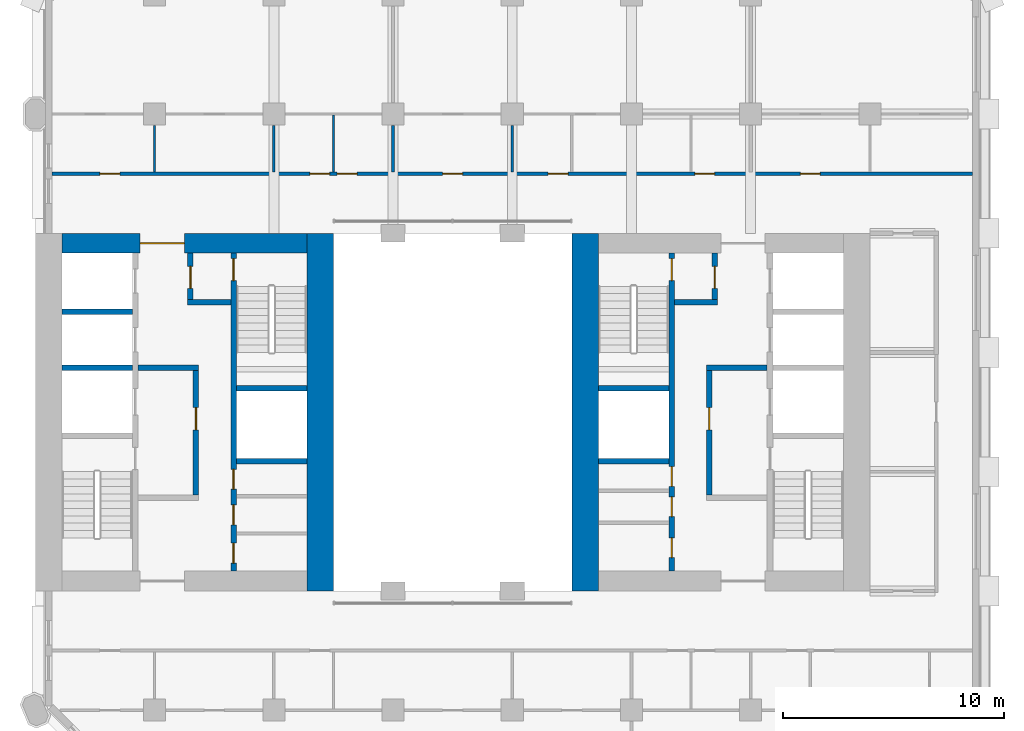
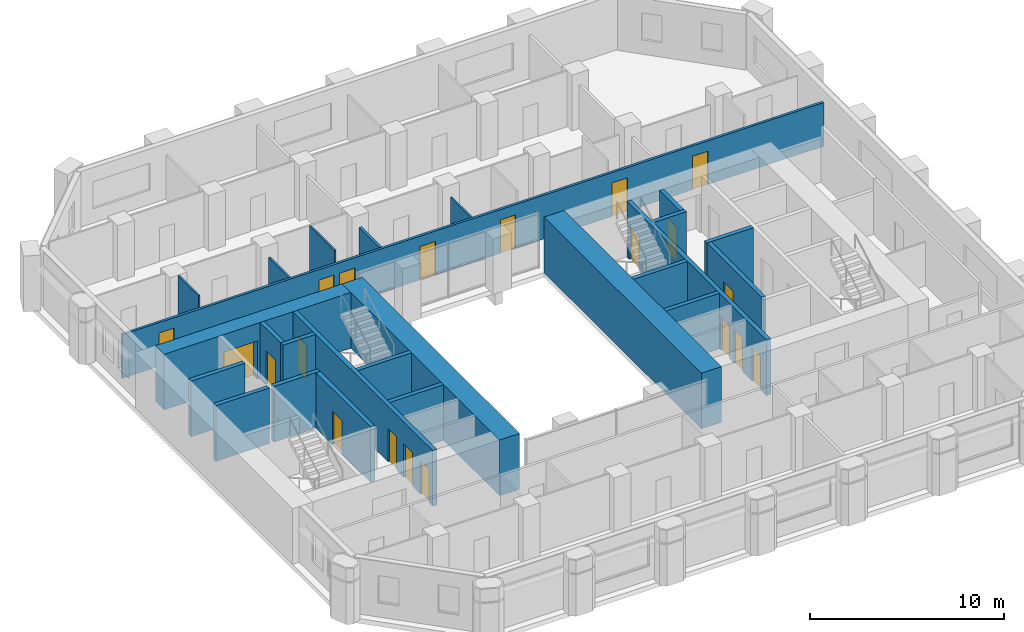
# One storey, part 5 of 11: 25 walls, 20 doors, 20 openings.
"""IFC4 building model written with IfcOpenShell, lengths in metres."""

from ifc_helpers import new_model, si_unit, direction, frame, frame_2d, origin, place, context, subcontext, project, spatial, rectangle, extrude, material, layer, layer_set, type_object, element, fill, save


model = new_model("IFC4")

# Units and contexts
model_context = context("Model", 3, precision=1e-05, world=origin(), true_north=direction((0.0, 1.0)))
body_context = subcontext(model_context, "Body", "Model", "MODEL_VIEW")
ifc_project = project(units=[si_unit("LENGTHUNIT", "METRE"), si_unit("AREAUNIT", "SQUARE_METRE"), si_unit("VOLUMEUNIT", "CUBIC_METRE"), si_unit("PLANEANGLEUNIT", "RADIAN"), si_unit("MASSUNIT", "GRAM", prefix="KILO")], contexts=[model_context])

# Site, building, storey
site_placement = place(None, origin())
site = spatial("IfcSite", under=ifc_project, at=site_placement, CompositionType="ELEMENT")
building_placement = place(site_placement, origin())
building = spatial("IfcBuilding", under=site, at=building_placement, Name="Tabaq Tower and Sports Hall", CompositionType="ELEMENT")
storey_placement = place(building_placement, frame((0.0, 0.0, 84.0)))
storey = spatial("IfcBuildingStorey", under=building, at=storey_placement, Name="L19", CompositionType="ELEMENT", Elevation=84.0)

# Walls
ifc_material_1 = material(Name="Concrete C60/75", Category="concrete")
ifc_layer_1 = layer(ifc_material_1, 1.199951171875)
ifc_layer_set_1 = layer_set([ifc_layer_1], Name="Core wall 1200 Concrete C60/75")
wall_type_1 = type_object("IfcWallType", Name="Core wall 1200 Concrete C60/75", PredefinedType="SOLIDWALL", material=ifc_layer_set_1)
for number, where, z_axis, x_axis, name in (
    (1, (18.300048828125, 32.39990234375, 0.0), (0.0, 0.0, 1.0), (0.0, -1.0, 0.0), "Core wall W L19"),
    (2, (30.300048828125, 16.199951171875, 0.0), (0.0, 0.0, 1.0), (0.0, 1.0, 0.0), "Core wall E L19"),
):
    element("IfcWall", number, at=place(storey_placement, frame(where, z_axis=z_axis, x_axis=x_axis)), inside=storey, type_object=wall_type_1, Name=name, PredefinedType="SOLIDWALL", context=body_context, shape_type="SweptSolid", body=[
        extrude(rectangle(XDim=16.199951171875, YDim=1.199951171875, at=frame_2d((8.10009765625, 0.0))), origin(), (0.0, 0.0, 1.0), 3.5),
    ])

# Wall, opening, door
ifc_material_2 = material(Name="Concrete C60/75", Category="concrete")
ifc_layer_2 = layer(ifc_material_2, 0.89990234375)
ifc_layer_set_2 = layer_set([ifc_layer_2], Name="Core wall 900 Concrete C60/75")
wall_type_2 = type_object("IfcWallType", Name="Core wall 900 Concrete C60/75", PredefinedType="SOLIDWALL", material=ifc_layer_set_2)
wall_1_placement = place(storey_placement, frame((6.60009765625, 31.949951171875, 0.0), z_axis=(0.0, 0.0, 1.0), x_axis=(1.0, 0.0, 0.0)))
wall_1 = element("IfcWall", 3, at=wall_1_placement, inside=storey, type_object=wall_type_2, Name="Core wall W L19", PredefinedType="SOLIDWALL", context=body_context, shape_type="SweptSolid", body=[
    extrude(rectangle(XDim=11.099853515625, YDim=0.89990234375, at=frame_2d((5.5498046875, 0.0))), origin(), (0.0, 0.0, 1.0), 3.5),
])
opening_1_placement = place(wall_1_placement, frame((3.550048828125, 0.0, 0.0)))
opening_1 = element("IfcOpeningElement", 4, at=opening_1_placement, cuts=wall_1, Name="Opening PD-WL19-02", PredefinedType="OPENING", context=body_context, shape_type="SweptSolid", body=[
    extrude(rectangle(XDim=2.0, YDim=2.39990234375, at=frame_2d((1.0, 1.199951171875))), frame((0.0, 0.449951171875, 0.0), z_axis=(0.0, -1.0, 0.0), x_axis=(1.0, 0.0, 0.0)), (0.0, 0.0, 1.0), 0.89990234375),
])
ifc_material_3 = material(Name="Steel fire door", Category="steel")
door_type_1 = type_object("IfcDoorType", Name="Core entrance door 2000", OperationType="DOUBLE_DOOR_SINGLE_SWING", PredefinedType="DOOR", material=ifc_material_3)
door_1_placement = place(opening_1_placement, origin())
door_1 = element("IfcDoor", 5, at=door_1_placement, inside=storey, type_object=door_type_1, Name="Core entrance north W L19", OperationType="DOUBLE_DOOR_SINGLE_SWING", OverallHeight=2.39990234375, OverallWidth=2.0, PredefinedType="DOOR", context=body_context, shape_type="SweptSolid", body=[
    extrude(rectangle(XDim=2.0, YDim=2.39990234375, at=frame_2d((1.0, 1.199951171875))), frame((0.0, 0.02490234375, 0.0), z_axis=(0.0, -1.0, 0.0), x_axis=(1.0, 0.0, 0.0)), (0.0, 0.0, 1.0), 0.050048828125),
])
fill(opening_1, door_1)

# Walls
ifc_material_4 = material(Name="Gypsum board on steel studs", Category="steel")
ifc_layer_3 = layer(ifc_material_4, 0.10009765625)
ifc_layer_set_3 = layer_set([ifc_layer_3], Name="Partition 100 Gypsum board")
wall_type_3 = type_object("IfcWallType", Name="Partition 100 Gypsum board", PredefinedType="PARTITIONING", material=ifc_layer_set_3)
wall_2_placement = place(storey_placement, frame((10.800048828125, 35.175048828125, 0.0), z_axis=(0.0, 0.0, 1.0), x_axis=(0.0, 1.0, 0.0)))
element("IfcWall", 6, at=wall_2_placement, inside=storey, type_object=wall_type_3, Name="Partition wall L19", PredefinedType="PARTITIONING", context=body_context, shape_type="SweptSolid", body=[
    extrude(rectangle(XDim=2.10498046875, YDim=0.10009765625, at=frame_2d((1.052490234375, 0.0))), origin(), (0.0, 0.0, 1.0), 3.5),
])
wall_3_placement = place(storey_placement, frame((16.199951171875, 35.175048828125, 0.0), z_axis=(0.0, 0.0, 1.0), x_axis=(0.0, 1.0, 0.0)))
element("IfcWall", 7, at=wall_3_placement, inside=storey, type_object=wall_type_3, Name="Partition wall L19", PredefinedType="PARTITIONING", context=body_context, shape_type="SweptSolid", body=[
    extrude(rectangle(XDim=2.10498046875, YDim=0.10009765625, at=frame_2d((1.052490234375, 0.0))), origin(), (0.0, 0.0, 1.0), 2.75),
])
wall_4_placement = place(storey_placement, frame((18.89990234375, 35.175048828125, 0.0), z_axis=(0.0, 0.0, 1.0), x_axis=(0.0, 1.0, 0.0)))
element("IfcWall", 8, at=wall_4_placement, inside=storey, type_object=wall_type_3, Name="Partition wall L19", PredefinedType="PARTITIONING", context=body_context, shape_type="SweptSolid", body=[
    extrude(rectangle(XDim=2.574951171875, YDim=0.10009765625, at=frame_2d((1.28759765625, 0.0))), origin(), (0.0, 0.0, 1.0), 3.5),
])
wall_5_placement = place(storey_placement, frame((27.0, 35.175048828125, 0.0), z_axis=(0.0, 0.0, 1.0), x_axis=(0.0, 1.0, 0.0)))
element("IfcWall", 9, at=wall_5_placement, inside=storey, type_object=wall_type_3, Name="Partition wall L19", PredefinedType="PARTITIONING", context=body_context, shape_type="SweptSolid", body=[
    extrude(rectangle(XDim=2.10498046875, YDim=0.10009765625, at=frame_2d((1.052490234375, 0.0))), origin(), (0.0, 0.0, 1.0), 2.75),
])

# Wall, openings, doors
ifc_material_5 = material(Name="Blockwork", Category="masonry")
ifc_layer_4 = layer(ifc_material_5, 0.14990234375)
ifc_layer_set_4 = layer_set([ifc_layer_4], Name="Separating wall 150 Blockwork")
wall_type_4 = type_object("IfcWallType", Name="Separating wall 150 Blockwork", PredefinedType="PARTITIONING", material=ifc_layer_set_4)
wall_6_placement = place(storey_placement, frame((47.84912109375, 35.10009765625, 0.0), z_axis=(0.0, 0.0, 1.0), x_axis=(-1.0, 0.0, 0.0)))
wall_6 = element("IfcWall", 10, at=wall_6_placement, inside=storey, type_object=wall_type_4, Name="Separating wall L19", PredefinedType="PARTITIONING", context=body_context, shape_type="SweptSolid", body=[
    extrude(rectangle(XDim=41.6982421875, YDim=0.14990234375, at=frame_2d((20.84912109375, 0.0))), origin(), (0.0, 0.0, 1.0), 2.75),
])
opening_2_placement = place(wall_6_placement, frame((29.118896484375, 0.0, 0.0)))
opening_2 = element("IfcOpeningElement", 11, at=opening_2_placement, cuts=wall_6, Name="Opening L19-001", PredefinedType="OPENING", context=body_context, shape_type="SweptSolid", body=[
    extrude(rectangle(XDim=0.89990234375, YDim=2.10009765625, at=frame_2d((0.449951171875, 1.050048828125))), frame((0.0, 0.074951171875, 0.0), z_axis=(0.0, -1.0, 0.0), x_axis=(1.0, 0.0, 0.0)), (0.0, 0.0, 1.0), 0.14990234375),
])
opening_3_placement = place(wall_6_placement, frame((27.87890625, 0.0, 0.0)))
opening_3 = element("IfcOpeningElement", 12, at=opening_3_placement, cuts=wall_6, Name="Opening L19-002", PredefinedType="OPENING", context=body_context, shape_type="SweptSolid", body=[
    extrude(rectangle(XDim=0.89990234375, YDim=2.10009765625, at=frame_2d((0.449951171875, 1.050048828125))), frame((0.0, 0.074951171875, 0.0), z_axis=(0.0, -1.0, 0.0), x_axis=(1.0, 0.0, 0.0)), (0.0, 0.0, 1.0), 0.14990234375),
])
opening_4_placement = place(wall_6_placement, frame((18.319091796875, 0.0, 0.0)))
opening_4 = element("IfcOpeningElement", 13, at=opening_4_placement, cuts=wall_6, Name="Opening L19-003", PredefinedType="OPENING", context=body_context, shape_type="SweptSolid", body=[
    extrude(rectangle(XDim=0.89990234375, YDim=2.10009765625, at=frame_2d((0.449951171875, 1.050048828125))), frame((0.0, 0.074951171875, 0.0), z_axis=(0.0, -1.0, 0.0), x_axis=(1.0, 0.0, 0.0)), (0.0, 0.0, 1.0), 0.14990234375),
])
opening_5_placement = place(wall_6_placement, frame((11.678955078125, 0.0, 0.0)))
opening_5 = element("IfcOpeningElement", 14, at=opening_5_placement, cuts=wall_6, Name="Opening L19-004", PredefinedType="OPENING", context=body_context, shape_type="SweptSolid", body=[
    extrude(rectangle(XDim=0.89990234375, YDim=2.10009765625, at=frame_2d((0.449951171875, 1.050048828125))), frame((0.0, 0.074951171875, 0.0), z_axis=(0.0, -1.0, 0.0), x_axis=(1.0, 0.0, 0.0)), (0.0, 0.0, 1.0), 0.14990234375),
])
opening_6_placement = place(wall_6_placement, frame((38.6240234375, 0.0, 0.0)))
opening_6 = element("IfcOpeningElement", 15, at=opening_6_placement, cuts=wall_6, Name="Opening L19-025", PredefinedType="OPENING", context=body_context, shape_type="SweptSolid", body=[
    extrude(rectangle(XDim=0.89990234375, YDim=2.10009765625, at=frame_2d((0.449951171875, 1.050048828125))), frame((0.0, 0.074951171875, 0.0), z_axis=(0.0, -1.0, 0.0), x_axis=(1.0, 0.0, 0.0)), (0.0, 0.0, 1.0), 0.14990234375),
])
opening_7_placement = place(wall_6_placement, frame((23.09912109375, 0.0, 0.0)))
opening_7 = element("IfcOpeningElement", 16, at=opening_7_placement, cuts=wall_6, Name="Opening L19-026", PredefinedType="OPENING", context=body_context, shape_type="SweptSolid", body=[
    extrude(rectangle(XDim=0.89990234375, YDim=2.10009765625, at=frame_2d((0.449951171875, 1.050048828125))), frame((0.0, 0.074951171875, 0.0), z_axis=(0.0, -1.0, 0.0), x_axis=(1.0, 0.0, 0.0)), (0.0, 0.0, 1.0), 0.14990234375),
])
opening_8_placement = place(wall_6_placement, frame((6.89892578125, 0.0, 0.0)))
opening_8 = element("IfcOpeningElement", 17, at=opening_8_placement, cuts=wall_6, Name="Opening L19-027", PredefinedType="OPENING", context=body_context, shape_type="SweptSolid", body=[
    extrude(rectangle(XDim=0.89990234375, YDim=2.10009765625, at=frame_2d((0.449951171875, 1.050048828125))), frame((0.0, 0.074951171875, 0.0), z_axis=(0.0, -1.0, 0.0), x_axis=(1.0, 0.0, 0.0)), (0.0, 0.0, 1.0), 0.14990234375),
])
ifc_material_6 = material(Name="Steel fire door", Category="steel")
door_type_2 = type_object("IfcDoorType", Name="Entrance door 900 right hand", OperationType="SINGLE_SWING_RIGHT", PredefinedType="DOOR", material=ifc_material_6)
door_2_placement = place(opening_2_placement, origin())
door_2 = element("IfcDoor", 18, at=door_2_placement, inside=storey, type_object=door_type_2, Name="Entrance door L19-001", OperationType="SINGLE_SWING_RIGHT", OverallHeight=2.10009765625, OverallWidth=0.89990234375, PredefinedType="DOOR", context=body_context, shape_type="SweptSolid", body=[
    extrude(rectangle(XDim=0.89990234375, YDim=2.10009765625, at=frame_2d((0.449951171875, 1.050048828125))), frame((0.0, 0.02490234375, 0.0), z_axis=(0.0, -1.0, 0.0), x_axis=(1.0, 0.0, 0.0)), (0.0, 0.0, 1.0), 0.050048828125),
])
fill(opening_2, door_2)
door_3_placement = place(opening_3_placement, origin())
door_3 = element("IfcDoor", 19, at=door_3_placement, inside=storey, type_object=door_type_2, Name="Entrance door L19-002", OperationType="SINGLE_SWING_RIGHT", OverallHeight=2.10009765625, OverallWidth=0.89990234375, PredefinedType="DOOR", context=body_context, shape_type="SweptSolid", body=[
    extrude(rectangle(XDim=0.89990234375, YDim=2.10009765625, at=frame_2d((0.449951171875, 1.050048828125))), frame((0.0, 0.02490234375, 0.0), z_axis=(0.0, -1.0, 0.0), x_axis=(1.0, 0.0, 0.0)), (0.0, 0.0, 1.0), 0.050048828125),
])
fill(opening_3, door_3)
door_4_placement = place(opening_4_placement, origin())
door_4 = element("IfcDoor", 20, at=door_4_placement, inside=storey, type_object=door_type_2, Name="Entrance door L19-003", OperationType="SINGLE_SWING_RIGHT", OverallHeight=2.10009765625, OverallWidth=0.89990234375, PredefinedType="DOOR", context=body_context, shape_type="SweptSolid", body=[
    extrude(rectangle(XDim=0.89990234375, YDim=2.10009765625, at=frame_2d((0.449951171875, 1.050048828125))), frame((0.0, 0.02490234375, 0.0), z_axis=(0.0, -1.0, 0.0), x_axis=(1.0, 0.0, 0.0)), (0.0, 0.0, 1.0), 0.050048828125),
])
fill(opening_4, door_4)
door_5_placement = place(opening_5_placement, origin())
door_5 = element("IfcDoor", 21, at=door_5_placement, inside=storey, type_object=door_type_2, Name="Entrance door L19-004", OperationType="SINGLE_SWING_RIGHT", OverallHeight=2.10009765625, OverallWidth=0.89990234375, PredefinedType="DOOR", context=body_context, shape_type="SweptSolid", body=[
    extrude(rectangle(XDim=0.89990234375, YDim=2.10009765625, at=frame_2d((0.449951171875, 1.050048828125))), frame((0.0, 0.02490234375, 0.0), z_axis=(0.0, -1.0, 0.0), x_axis=(1.0, 0.0, 0.0)), (0.0, 0.0, 1.0), 0.050048828125),
])
fill(opening_5, door_5)
door_6_placement = place(opening_6_placement, origin())
door_6 = element("IfcDoor", 22, at=door_6_placement, inside=storey, type_object=door_type_2, Name="Entrance door L19-025", OperationType="SINGLE_SWING_RIGHT", OverallHeight=2.10009765625, OverallWidth=0.89990234375, PredefinedType="DOOR", context=body_context, shape_type="SweptSolid", body=[
    extrude(rectangle(XDim=0.89990234375, YDim=2.10009765625, at=frame_2d((0.449951171875, 1.050048828125))), frame((0.0, 0.02490234375, 0.0), z_axis=(0.0, -1.0, 0.0), x_axis=(1.0, 0.0, 0.0)), (0.0, 0.0, 1.0), 0.050048828125),
])
fill(opening_6, door_6)
door_7_placement = place(opening_7_placement, origin())
door_7 = element("IfcDoor", 23, at=door_7_placement, inside=storey, type_object=door_type_2, Name="Entrance door L19-026", OperationType="SINGLE_SWING_RIGHT", OverallHeight=2.10009765625, OverallWidth=0.89990234375, PredefinedType="DOOR", context=body_context, shape_type="SweptSolid", body=[
    extrude(rectangle(XDim=0.89990234375, YDim=2.10009765625, at=frame_2d((0.449951171875, 1.050048828125))), frame((0.0, 0.02490234375, 0.0), z_axis=(0.0, -1.0, 0.0), x_axis=(1.0, 0.0, 0.0)), (0.0, 0.0, 1.0), 0.050048828125),
])
fill(opening_7, door_7)
door_8_placement = place(opening_8_placement, origin())
door_8 = element("IfcDoor", 24, at=door_8_placement, inside=storey, type_object=door_type_2, Name="Entrance door L19-027", OperationType="SINGLE_SWING_RIGHT", OverallHeight=2.10009765625, OverallWidth=0.89990234375, PredefinedType="DOOR", context=body_context, shape_type="SweptSolid", body=[
    extrude(rectangle(XDim=0.89990234375, YDim=2.10009765625, at=frame_2d((0.449951171875, 1.050048828125))), frame((0.0, 0.02490234375, 0.0), z_axis=(0.0, -1.0, 0.0), x_axis=(1.0, 0.0, 0.0)), (0.0, 0.0, 1.0), 0.050048828125),
])
fill(opening_8, door_8)

# Wall
wall_7_placement = place(storey_placement, frame((21.60009765625, 35.175048828125, 0.0), z_axis=(0.0, 0.0, 1.0), x_axis=(0.0, 1.0, 0.0)))
element("IfcWall", 25, at=wall_7_placement, inside=storey, type_object=wall_type_4, Name="Separating wall L19", PredefinedType="PARTITIONING", context=body_context, shape_type="SweptSolid", body=[
    extrude(rectangle(XDim=2.10498046875, YDim=0.14990234375, at=frame_2d((1.052490234375, 0.0))), origin(), (0.0, 0.0, 1.0), 2.75),
])

# Wall, openings, doors
ifc_material_7 = material(Name="Concrete C40/50", Category="concrete")
ifc_layer_5 = layer(ifc_material_7, 0.25)
ifc_layer_set_5 = layer_set([ifc_layer_5], Name="Shaft and stair wall 250 Concrete C40/50")
wall_type_5 = type_object("IfcWallType", Name="Shaft and stair wall 250 Concrete C40/50", PredefinedType="SOLIDWALL", material=ifc_layer_set_5)
wall_8_placement = place(storey_placement, frame((14.375, 17.10009765625, 0.0), z_axis=(0.0, 0.0, 1.0), x_axis=(0.0, 1.0, 0.0)))
wall_8 = element("IfcWall", 26, at=wall_8_placement, inside=storey, type_object=wall_type_5, Name="Shaft wall W L19", PredefinedType="SOLIDWALL", context=body_context, shape_type="SweptSolid", body=[
    extrude(rectangle(XDim=14.39990234375, YDim=0.25, at=frame_2d((7.199951171875, 0.0))), origin(), (0.0, 0.0, 1.0), 3.5),
])
opening_9_placement = place(wall_8_placement, frame((13.14990234375, 0.0, 0.0)))
opening_9 = element("IfcOpeningElement", 27, at=opening_9_placement, cuts=wall_8, Name="Opening SD-WL19-05", PredefinedType="OPENING", context=body_context, shape_type="SweptSolid", body=[
    extrude(rectangle(XDim=1.0, YDim=2.10009765625, at=frame_2d((0.5, 1.050048828125))), frame((0.0, 0.125, 0.0), z_axis=(0.0, -1.0, 0.0), x_axis=(1.0, 0.0, 0.0)), (0.0, 0.0, 1.0), 0.25),
])
opening_10_placement = place(wall_8_placement, frame((0.361083984375, 0.0, 0.0)))
opening_10 = element("IfcOpeningElement", 28, at=opening_10_placement, cuts=wall_8, Name="Opening RD-WL19-10", PredefinedType="OPENING", context=body_context, shape_type="SweptSolid", body=[
    extrude(rectangle(XDim=0.89990234375, YDim=2.10009765625, at=frame_2d((0.449951171875, 1.050048828125))), frame((0.0, 0.125, 0.0), z_axis=(0.0, -1.0, 0.0), x_axis=(1.0, 0.0, 0.0)), (0.0, 0.0, 1.0), 0.25),
])
opening_11_placement = place(wall_8_placement, frame((2.095458984375, 0.0, 0.0)))
opening_11 = element("IfcOpeningElement", 29, at=opening_11_placement, cuts=wall_8, Name="Opening RD-WL19-11", PredefinedType="OPENING", context=body_context, shape_type="SweptSolid", body=[
    extrude(rectangle(XDim=0.89990234375, YDim=2.10009765625, at=frame_2d((0.449951171875, 1.050048828125))), frame((0.0, 0.125, 0.0), z_axis=(0.0, -1.0, 0.0), x_axis=(1.0, 0.0, 0.0)), (0.0, 0.0, 1.0), 0.25),
])
opening_12_placement = place(wall_8_placement, frame((3.70947265625, 0.0, 0.0)))
opening_12 = element("IfcOpeningElement", 30, at=opening_12_placement, cuts=wall_8, Name="Opening RD-WL19-12", PredefinedType="OPENING", context=body_context, shape_type="SweptSolid", body=[
    extrude(rectangle(XDim=0.89990234375, YDim=2.10009765625, at=frame_2d((0.449951171875, 1.050048828125))), frame((0.0, 0.125, 0.0), z_axis=(0.0, -1.0, 0.0), x_axis=(1.0, 0.0, 0.0)), (0.0, 0.0, 1.0), 0.25),
])
ifc_material_8 = material(Name="Steel fire door", Category="steel")
door_type_3 = type_object("IfcDoorType", Name="Core room door 900", OperationType="SINGLE_SWING_LEFT", PredefinedType="DOOR", material=ifc_material_8)
door_9_placement = place(opening_10_placement, origin())
door_9 = element("IfcDoor", 31, at=door_9_placement, inside=storey, type_object=door_type_3, Name="Door Accessible WC W L19", OperationType="SINGLE_SWING_LEFT", OverallHeight=2.10009765625, OverallWidth=0.89990234375, PredefinedType="DOOR", context=body_context, shape_type="SweptSolid", body=[
    extrude(rectangle(XDim=0.89990234375, YDim=2.10009765625, at=frame_2d((0.449951171875, 1.050048828125))), frame((0.0, 0.02490234375, 0.0), z_axis=(0.0, -1.0, 0.0), x_axis=(1.0, 0.0, 0.0)), (0.0, 0.0, 1.0), 0.050048828125),
])
fill(opening_10, door_9)
door_10_placement = place(opening_11_placement, origin())
door_10 = element("IfcDoor", 32, at=door_10_placement, inside=storey, type_object=door_type_3, Name="Door Unisex WC W L19", OperationType="SINGLE_SWING_LEFT", OverallHeight=2.10009765625, OverallWidth=0.89990234375, PredefinedType="DOOR", context=body_context, shape_type="SweptSolid", body=[
    extrude(rectangle(XDim=0.89990234375, YDim=2.10009765625, at=frame_2d((0.449951171875, 1.050048828125))), frame((0.0, 0.02490234375, 0.0), z_axis=(0.0, -1.0, 0.0), x_axis=(1.0, 0.0, 0.0)), (0.0, 0.0, 1.0), 0.050048828125),
])
fill(opening_11, door_10)
door_11_placement = place(opening_12_placement, origin())
door_11 = element("IfcDoor", 33, at=door_11_placement, inside=storey, type_object=door_type_3, Name="Door Cleaner's Store W L19", OperationType="SINGLE_SWING_LEFT", OverallHeight=2.10009765625, OverallWidth=0.89990234375, PredefinedType="DOOR", context=body_context, shape_type="SweptSolid", body=[
    extrude(rectangle(XDim=0.89990234375, YDim=2.10009765625, at=frame_2d((0.449951171875, 1.050048828125))), frame((0.0, 0.02490234375, 0.0), z_axis=(0.0, -1.0, 0.0), x_axis=(1.0, 0.0, 0.0)), (0.0, 0.0, 1.0), 0.050048828125),
])
fill(opening_12, door_11)
ifc_material_9 = material(Name="Steel fire door", Category="steel")
door_type_4 = type_object("IfcDoorType", Name="Stair door 1000", OperationType="SINGLE_SWING_LEFT", PredefinedType="DOOR", material=ifc_material_9)
door_12_placement = place(opening_9_placement, origin())
door_12 = element("IfcDoor", 34, at=door_12_placement, inside=storey, type_object=door_type_4, Name="Stair door ST2 W L19", OperationType="SINGLE_SWING_LEFT", OverallHeight=2.10009765625, OverallWidth=1.0, PredefinedType="DOOR", context=body_context, shape_type="SweptSolid", body=[
    extrude(rectangle(XDim=1.0, YDim=2.10009765625, at=frame_2d((0.5, 1.050048828125))), frame((0.0, 0.02490234375, 0.0), z_axis=(0.0, -1.0, 0.0), x_axis=(1.0, 0.0, 0.0)), (0.0, 0.0, 1.0), 0.050048828125),
])
fill(opening_9, door_12)

# Walls
for number, where, z_axis, x_axis, name in (
    (35, (14.5, 25.375, 0.0), (0.0, 0.0, 1.0), (1.0, 0.0, 0.0), "Stair enclosure wall W L19"),
    (36, (14.5, 22.074951171875, 0.0), (0.0, 0.0, 1.0), (1.0, 0.0, 0.0), "Shaft wall W L19"),
    (37, (6.60009765625, 26.300048828125, 0.0), (0.0, 0.0, 1.0), (1.0, 0.0, 0.0), "Shaft wall W L19"),
):
    element("IfcWall", number, at=place(storey_placement, frame(where, z_axis=z_axis, x_axis=x_axis)), inside=storey, type_object=wall_type_5, Name=name, PredefinedType="SOLIDWALL", context=body_context, shape_type="SweptSolid", body=[
        extrude(rectangle(XDim=3.199951171875, YDim=0.25, at=frame_2d((1.60009765625, 0.0))), origin(), (0.0, 0.0, 1.0), 3.5),
    ])
wall_9_placement = place(storey_placement, frame((10.050048828125, 26.300048828125, 0.0), z_axis=(0.0, 0.0, 1.0), x_axis=(1.0, 0.0, 0.0)))
element("IfcWall", 38, at=wall_9_placement, inside=storey, type_object=wall_type_5, Name="Fire-fighting lobby wall W L19", PredefinedType="SOLIDWALL", context=body_context, shape_type="SweptSolid", body=[
    extrude(rectangle(XDim=2.75, YDim=0.25, at=frame_2d((1.375, 0.0))), origin(), (0.0, 0.0, 1.0), 3.5),
])

# Wall, opening, door
wall_10_placement = place(storey_placement, frame((12.425048828125, 29.39990234375, 0.0), z_axis=(0.0, 0.0, 1.0), x_axis=(0.0, 1.0, 0.0)))
wall_10 = element("IfcWall", 39, at=wall_10_placement, inside=storey, type_object=wall_type_5, Name="Fire-fighting lobby wall W L19", PredefinedType="SOLIDWALL", context=body_context, shape_type="SweptSolid", body=[
    extrude(rectangle(XDim=2.10009765625, YDim=0.25, at=frame_2d((1.050048828125, 0.0))), origin(), (0.0, 0.0, 1.0), 3.5),
])
opening_13_placement = place(wall_10_placement, frame((0.5, 0.0, 0.0)))
opening_13 = element("IfcOpeningElement", 40, at=opening_13_placement, cuts=wall_10, Name="Opening FD-WL19-06", PredefinedType="OPENING", context=body_context, shape_type="SweptSolid", body=[
    extrude(rectangle(XDim=1.0, YDim=2.10009765625, at=frame_2d((0.5, 1.050048828125))), frame((0.0, 0.125, 0.0), z_axis=(0.0, -1.0, 0.0), x_axis=(1.0, 0.0, 0.0)), (0.0, 0.0, 1.0), 0.25),
])
ifc_material_10 = material(Name="Steel fire door", Category="steel")
door_type_5 = type_object("IfcDoorType", Name="Fire-fighting lobby door 1000", OperationType="SINGLE_SWING_LEFT", PredefinedType="DOOR", material=ifc_material_10)
door_13_placement = place(opening_13_placement, origin())
door_13 = element("IfcDoor", 41, at=door_13_placement, inside=storey, type_object=door_type_5, Name="Stair lobby door W L19", OperationType="SINGLE_SWING_LEFT", OverallHeight=2.10009765625, OverallWidth=1.0, PredefinedType="DOOR", context=body_context, shape_type="SweptSolid", body=[
    extrude(rectangle(XDim=1.0, YDim=2.10009765625, at=frame_2d((0.5, 1.050048828125))), frame((0.0, 0.02490234375, 0.0), z_axis=(0.0, -1.0, 0.0), x_axis=(1.0, 0.0, 0.0)), (0.0, 0.0, 1.0), 0.050048828125),
])
fill(opening_13, door_13)

# Wall
wall_11_placement = place(storey_placement, frame((12.300048828125, 29.27490234375, 0.0), z_axis=(0.0, 0.0, 1.0), x_axis=(1.0, 0.0, 0.0)))
element("IfcWall", 42, at=wall_11_placement, inside=storey, type_object=wall_type_5, Name="Fire-fighting lobby wall W L19", PredefinedType="SOLIDWALL", context=body_context, shape_type="SweptSolid", body=[
    extrude(rectangle(XDim=1.949951171875, YDim=0.25, at=frame_2d((0.97509765625, 0.0))), origin(), (0.0, 0.0, 1.0), 3.5),
])

# Wall, opening, door
wall_12_placement = place(storey_placement, frame((12.675048828125, 20.550048828125, 0.0), z_axis=(0.0, 0.0, 1.0), x_axis=(0.0, 1.0, 0.0)))
wall_12 = element("IfcWall", 43, at=wall_12_placement, inside=storey, type_object=wall_type_5, Name="Fire-fighting lobby wall W L19", PredefinedType="SOLIDWALL", context=body_context, shape_type="SweptSolid", body=[
    extrude(rectangle(XDim=5.625, YDim=0.25, at=frame_2d((2.8125, 0.0))), origin(), (0.0, 0.0, 1.0), 3.5),
])
opening_14_placement = place(wall_12_placement, frame((2.949951171875, 0.0, 0.0)))
opening_14 = element("IfcOpeningElement", 44, at=opening_14_placement, cuts=wall_12, Name="Opening FD-WL19-04", PredefinedType="OPENING", context=body_context, shape_type="SweptSolid", body=[
    extrude(rectangle(XDim=1.0, YDim=2.10009765625, at=frame_2d((0.5, 1.050048828125))), frame((0.0, 0.125, 0.0), z_axis=(0.0, -1.0, 0.0), x_axis=(1.0, 0.0, 0.0)), (0.0, 0.0, 1.0), 0.25),
])
door_14_placement = place(opening_14_placement, origin())
door_14 = element("IfcDoor", 45, at=door_14_placement, inside=storey, type_object=door_type_5, Name="Fire-fighting lobby door W L19", OperationType="SINGLE_SWING_LEFT", OverallHeight=2.10009765625, OverallWidth=1.0, PredefinedType="DOOR", context=body_context, shape_type="SweptSolid", body=[
    extrude(rectangle(XDim=1.0, YDim=2.10009765625, at=frame_2d((0.5, 1.050048828125))), frame((0.0, 0.02490234375, 0.0), z_axis=(0.0, -1.0, 0.0), x_axis=(1.0, 0.0, 0.0)), (0.0, 0.0, 1.0), 0.050048828125),
])
fill(opening_14, door_14)

# Wall
wall_13_placement = place(storey_placement, frame((6.60009765625, 28.85009765625, 0.0), z_axis=(0.0, 0.0, 1.0), x_axis=(1.0, 0.0, 0.0)))
element("IfcWall", 46, at=wall_13_placement, inside=storey, type_object=wall_type_5, Name="Shaft wall W L19", PredefinedType="SOLIDWALL", context=body_context, shape_type="SweptSolid", body=[
    extrude(rectangle(XDim=3.199951171875, YDim=0.25, at=frame_2d((1.60009765625, 0.0))), origin(), (0.0, 0.0, 1.0), 3.5),
])

# Wall, openings, doors
wall_14_placement = place(storey_placement, frame((34.22509765625, 17.10009765625, 0.0), z_axis=(0.0, 0.0, 1.0), x_axis=(0.0, 1.0, 0.0)))
wall_14 = element("IfcWall", 47, at=wall_14_placement, inside=storey, type_object=wall_type_5, Name="Shaft wall E L19", PredefinedType="SOLIDWALL", context=body_context, shape_type="SweptSolid", body=[
    extrude(rectangle(XDim=14.39990234375, YDim=0.25, at=frame_2d((7.199951171875, 0.0))), origin(), (0.0, 0.0, 1.0), 3.5),
])
opening_15_placement = place(wall_14_placement, frame((13.14990234375, 0.0, 0.0)))
opening_15 = element("IfcOpeningElement", 48, at=opening_15_placement, cuts=wall_14, Name="Opening SD-EL19-05", PredefinedType="OPENING", context=body_context, shape_type="SweptSolid", body=[
    extrude(rectangle(XDim=1.0, YDim=2.10009765625, at=frame_2d((0.5, 1.050048828125))), frame((0.0, 0.125, 0.0), z_axis=(0.0, -1.0, 0.0), x_axis=(1.0, 0.0, 0.0)), (0.0, 0.0, 1.0), 0.25),
])
opening_16_placement = place(wall_14_placement, frame((0.60400390625, 0.0, 0.0)))
opening_16 = element("IfcOpeningElement", 49, at=opening_16_placement, cuts=wall_14, Name="Opening RD-EL19-10", PredefinedType="OPENING", context=body_context, shape_type="SweptSolid", body=[
    extrude(rectangle(XDim=0.89990234375, YDim=2.10009765625, at=frame_2d((0.449951171875, 1.050048828125))), frame((0.0, 0.125, 0.0), z_axis=(0.0, -1.0, 0.0), x_axis=(1.0, 0.0, 0.0)), (0.0, 0.0, 1.0), 0.25),
])
opening_17_placement = place(wall_14_placement, frame((2.46044921875, 0.0, 0.0)))
opening_17 = element("IfcOpeningElement", 50, at=opening_17_placement, cuts=wall_14, Name="Opening RD-EL19-11", PredefinedType="OPENING", context=body_context, shape_type="SweptSolid", body=[
    extrude(rectangle(XDim=0.89990234375, YDim=2.10009765625, at=frame_2d((0.449951171875, 1.050048828125))), frame((0.0, 0.125, 0.0), z_axis=(0.0, -1.0, 0.0), x_axis=(1.0, 0.0, 0.0)), (0.0, 0.0, 1.0), 0.25),
])
opening_18_placement = place(wall_14_placement, frame((3.83154296875, 0.0, 0.0)))
opening_18 = element("IfcOpeningElement", 51, at=opening_18_placement, cuts=wall_14, Name="Opening RD-EL19-12", PredefinedType="OPENING", context=body_context, shape_type="SweptSolid", body=[
    extrude(rectangle(XDim=0.89990234375, YDim=2.10009765625, at=frame_2d((0.449951171875, 1.050048828125))), frame((0.0, 0.125, 0.0), z_axis=(0.0, -1.0, 0.0), x_axis=(1.0, 0.0, 0.0)), (0.0, 0.0, 1.0), 0.25),
])
door_15_placement = place(opening_16_placement, origin())
door_15 = element("IfcDoor", 52, at=door_15_placement, inside=storey, type_object=door_type_3, Name="Door Unisex WC E L19", OperationType="SINGLE_SWING_LEFT", OverallHeight=2.10009765625, OverallWidth=0.89990234375, PredefinedType="DOOR", context=body_context, shape_type="SweptSolid", body=[
    extrude(rectangle(XDim=0.89990234375, YDim=2.10009765625, at=frame_2d((0.449951171875, 1.050048828125))), frame((0.0, 0.02490234375, 0.0), z_axis=(0.0, -1.0, 0.0), x_axis=(1.0, 0.0, 0.0)), (0.0, 0.0, 1.0), 0.050048828125),
])
fill(opening_16, door_15)
door_16_placement = place(opening_17_placement, origin())
door_16 = element("IfcDoor", 53, at=door_16_placement, inside=storey, type_object=door_type_3, Name="Door Accessible WC E L19", OperationType="SINGLE_SWING_LEFT", OverallHeight=2.10009765625, OverallWidth=0.89990234375, PredefinedType="DOOR", context=body_context, shape_type="SweptSolid", body=[
    extrude(rectangle(XDim=0.89990234375, YDim=2.10009765625, at=frame_2d((0.449951171875, 1.050048828125))), frame((0.0, 0.02490234375, 0.0), z_axis=(0.0, -1.0, 0.0), x_axis=(1.0, 0.0, 0.0)), (0.0, 0.0, 1.0), 0.050048828125),
])
fill(opening_17, door_16)
door_17_placement = place(opening_18_placement, origin())
door_17 = element("IfcDoor", 54, at=door_17_placement, inside=storey, type_object=door_type_3, Name="Door Electrical Riser Room E L19", OperationType="SINGLE_SWING_LEFT", OverallHeight=2.10009765625, OverallWidth=0.89990234375, PredefinedType="DOOR", context=body_context, shape_type="SweptSolid", body=[
    extrude(rectangle(XDim=0.89990234375, YDim=2.10009765625, at=frame_2d((0.449951171875, 1.050048828125))), frame((0.0, 0.02490234375, 0.0), z_axis=(0.0, -1.0, 0.0), x_axis=(1.0, 0.0, 0.0)), (0.0, 0.0, 1.0), 0.050048828125),
])
fill(opening_18, door_17)
door_18_placement = place(opening_15_placement, origin())
door_18 = element("IfcDoor", 55, at=door_18_placement, inside=storey, type_object=door_type_4, Name="Stair door ST4 E L19", OperationType="SINGLE_SWING_LEFT", OverallHeight=2.10009765625, OverallWidth=1.0, PredefinedType="DOOR", context=body_context, shape_type="SweptSolid", body=[
    extrude(rectangle(XDim=1.0, YDim=2.10009765625, at=frame_2d((0.5, 1.050048828125))), frame((0.0, 0.02490234375, 0.0), z_axis=(0.0, -1.0, 0.0), x_axis=(1.0, 0.0, 0.0)), (0.0, 0.0, 1.0), 0.050048828125),
])
fill(opening_15, door_18)

# Walls
for number, where, z_axis, x_axis, name in (
    (56, (30.89990234375, 25.375, 0.0), (0.0, 0.0, 1.0), (1.0, 0.0, 0.0), "Stair enclosure wall E L19"),
    (57, (30.89990234375, 22.074951171875, 0.0), (0.0, 0.0, 1.0), (1.0, 0.0, 0.0), "Shaft wall E L19"),
):
    element("IfcWall", number, at=place(storey_placement, frame(where, z_axis=z_axis, x_axis=x_axis)), inside=storey, type_object=wall_type_5, Name=name, PredefinedType="SOLIDWALL", context=body_context, shape_type="SweptSolid", body=[
        extrude(rectangle(XDim=3.2001953125, YDim=0.25, at=frame_2d((1.60009765625, 0.0))), origin(), (0.0, 0.0, 1.0), 3.5),
    ])
wall_15_placement = place(storey_placement, frame((35.800048828125, 26.300048828125, 0.0), z_axis=(0.0, 0.0, 1.0), x_axis=(1.0, 0.0, 0.0)))
element("IfcWall", 58, at=wall_15_placement, inside=storey, type_object=wall_type_5, Name="Fire-fighting lobby wall E L19", PredefinedType="SOLIDWALL", context=body_context, shape_type="SweptSolid", body=[
    extrude(rectangle(XDim=2.75, YDim=0.25, at=frame_2d((1.375, 0.0))), origin(), (0.0, 0.0, 1.0), 3.5),
])

# Wall, opening, door
wall_16_placement = place(storey_placement, frame((36.175048828125, 29.39990234375, 0.0), z_axis=(0.0, 0.0, 1.0), x_axis=(0.0, 1.0, 0.0)))
wall_16 = element("IfcWall", 59, at=wall_16_placement, inside=storey, type_object=wall_type_5, Name="Fire-fighting lobby wall E L19", PredefinedType="SOLIDWALL", context=body_context, shape_type="SweptSolid", body=[
    extrude(rectangle(XDim=2.10009765625, YDim=0.25, at=frame_2d((1.050048828125, 0.0))), origin(), (0.0, 0.0, 1.0), 3.5),
])
opening_19_placement = place(wall_16_placement, frame((0.5, 0.0, 0.0)))
opening_19 = element("IfcOpeningElement", 60, at=opening_19_placement, cuts=wall_16, Name="Opening FD-EL19-06", PredefinedType="OPENING", context=body_context, shape_type="SweptSolid", body=[
    extrude(rectangle(XDim=1.0, YDim=2.10009765625, at=frame_2d((0.5, 1.050048828125))), frame((0.0, 0.125, 0.0), z_axis=(0.0, -1.0, 0.0), x_axis=(1.0, 0.0, 0.0)), (0.0, 0.0, 1.0), 0.25),
])
door_19_placement = place(opening_19_placement, origin())
door_19 = element("IfcDoor", 61, at=door_19_placement, inside=storey, type_object=door_type_5, Name="Stair lobby door E L19", OperationType="SINGLE_SWING_LEFT", OverallHeight=2.10009765625, OverallWidth=1.0, PredefinedType="DOOR", context=body_context, shape_type="SweptSolid", body=[
    extrude(rectangle(XDim=1.0, YDim=2.10009765625, at=frame_2d((0.5, 1.050048828125))), frame((0.0, 0.02490234375, 0.0), z_axis=(0.0, -1.0, 0.0), x_axis=(1.0, 0.0, 0.0)), (0.0, 0.0, 1.0), 0.050048828125),
])
fill(opening_19, door_19)

# Wall
wall_17_placement = place(storey_placement, frame((34.35009765625, 29.27490234375, 0.0), z_axis=(0.0, 0.0, 1.0), x_axis=(1.0, 0.0, 0.0)))
element("IfcWall", 62, at=wall_17_placement, inside=storey, type_object=wall_type_5, Name="Fire-fighting lobby wall E L19", PredefinedType="SOLIDWALL", context=body_context, shape_type="SweptSolid", body=[
    extrude(rectangle(XDim=1.949951171875, YDim=0.25, at=frame_2d((0.97509765625, 0.0))), origin(), (0.0, 0.0, 1.0), 3.5),
])

# Wall, opening, door
wall_18_placement = place(storey_placement, frame((35.925048828125, 20.550048828125, 0.0), z_axis=(0.0, 0.0, 1.0), x_axis=(0.0, 1.0, 0.0)))
wall_18 = element("IfcWall", 63, at=wall_18_placement, inside=storey, type_object=wall_type_5, Name="Fire-fighting lobby wall E L19", PredefinedType="SOLIDWALL", context=body_context, shape_type="SweptSolid", body=[
    extrude(rectangle(XDim=5.625, YDim=0.25, at=frame_2d((2.8125, 0.0))), origin(), (0.0, 0.0, 1.0), 3.5),
])
opening_20_placement = place(wall_18_placement, frame((2.949951171875, 0.0, 0.0)))
opening_20 = element("IfcOpeningElement", 64, at=opening_20_placement, cuts=wall_18, Name="Opening FD-EL19-04", PredefinedType="OPENING", context=body_context, shape_type="SweptSolid", body=[
    extrude(rectangle(XDim=1.0, YDim=2.10009765625, at=frame_2d((0.5, 1.050048828125))), frame((0.0, 0.125, 0.0), z_axis=(0.0, -1.0, 0.0), x_axis=(1.0, 0.0, 0.0)), (0.0, 0.0, 1.0), 0.25),
])
door_20_placement = place(opening_20_placement, origin())
door_20 = element("IfcDoor", 65, at=door_20_placement, inside=storey, type_object=door_type_5, Name="Fire-fighting lobby door E L19", OperationType="SINGLE_SWING_LEFT", OverallHeight=2.10009765625, OverallWidth=1.0, PredefinedType="DOOR", context=body_context, shape_type="SweptSolid", body=[
    extrude(rectangle(XDim=1.0, YDim=2.10009765625, at=frame_2d((0.5, 1.050048828125))), frame((0.0, 0.02490234375, 0.0), z_axis=(0.0, -1.0, 0.0), x_axis=(1.0, 0.0, 0.0)), (0.0, 0.0, 1.0), 0.050048828125),
])
fill(opening_20, door_20)

save(model, "model.ifc")
